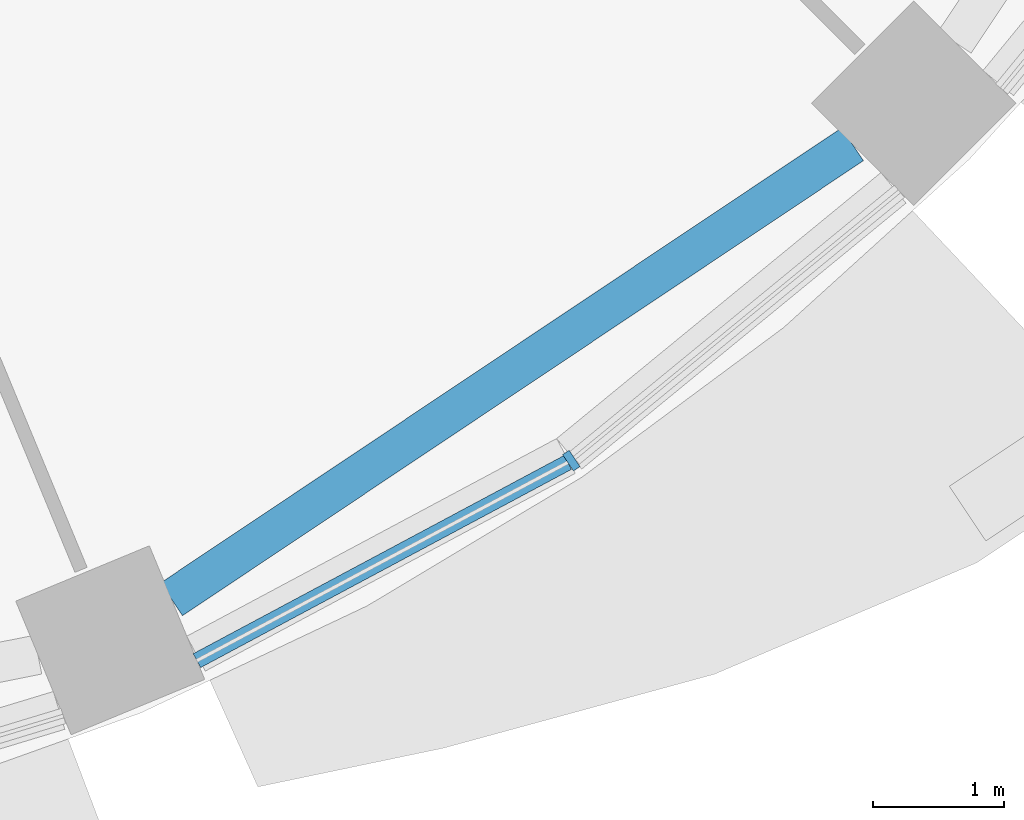
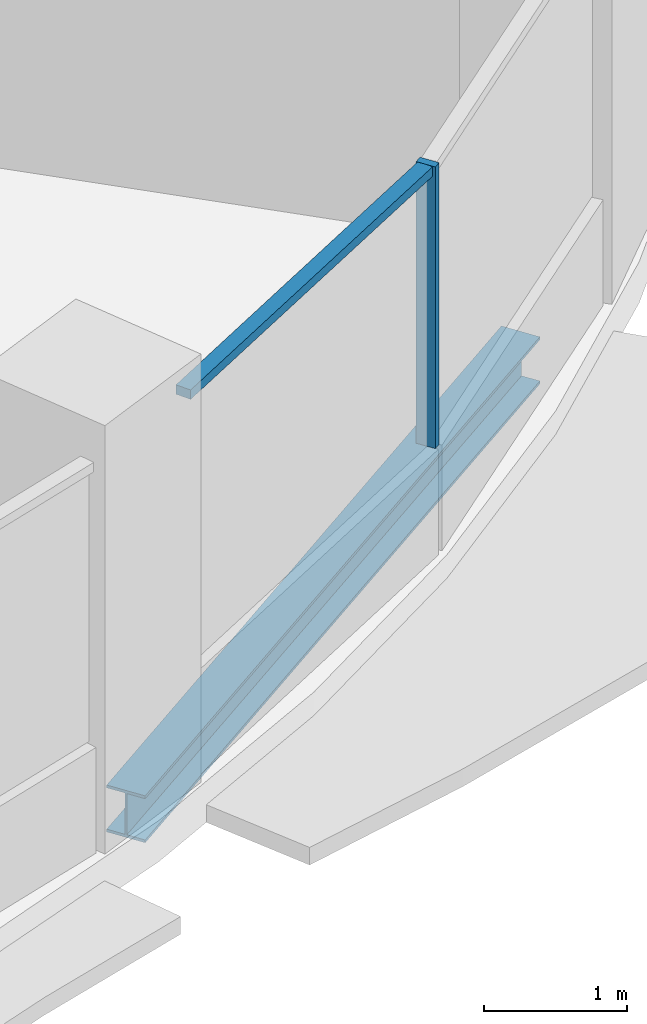
# One storey, part 3 of 15: 2 members, 1 beam, 1 element without a shape of its own.
"""IFC4 building model written with IfcOpenShell, lengths in metres."""

from ifc_helpers import new_model, si_unit, direction, frame, origin, origin_2d, place, context, subcontext, project, spatial, rectangle, i_section, extrude, material, material_profile, profile_set, type_object, element, aggregate, save


model = new_model("IFC4")

# Units and contexts
model_context = context("Model", 3, precision=1e-05, world=origin(), true_north=direction((0.0, 1.0)))
body_context = subcontext(model_context, "Body", "Model", "MODEL_VIEW")
ifc_project = project(units=[si_unit("LENGTHUNIT", "METRE"), si_unit("AREAUNIT", "SQUARE_METRE"), si_unit("VOLUMEUNIT", "CUBIC_METRE"), si_unit("PLANEANGLEUNIT", "RADIAN"), si_unit("MASSUNIT", "GRAM", prefix="KILO")], contexts=[model_context])

# Site, building, storey
site_placement = place(None, origin())
site = spatial("IfcSite", under=ifc_project, at=site_placement, CompositionType="ELEMENT")
building_placement = place(site_placement, origin())
building = spatial("IfcBuilding", under=site, at=building_placement, Name="Polderwave Tower", CompositionType="ELEMENT")
storey_placement = place(building_placement, frame((0.0, 0.0, 76.39990234375)))
storey = spatial("IfcBuildingStorey", under=building, at=storey_placement, Name="L19", CompositionType="ELEMENT", Elevation=76.39990234375)

# Curtain wall, members
ifc_material_1 = material(Name="Aluminium 6063-T6 and glass", Category="aluminium")
curtain_wall_type = type_object("IfcCurtainWallType", Name="Growing floor ribbon glazing wall", PredefinedType="NOTDEFINED", material=ifc_material_1)
curtain_wall_placement = place(storey_placement, origin())
curtain_wall = element("IfcCurtainWall", 1, at=curtain_wall_placement, inside=storey, type_object=curtain_wall_type, Name="CW2 L19 13", PredefinedType="NOTDEFINED")
ifc_material_2 = material(Name="Aluminium 6063-T6", Category="aluminium")
ifc_material_profile_1 = material_profile(ifc_material_2, rectangle(XDim=0.14990234375, YDim=0.06005859375, at=origin_2d()), Name="AL 60x150")
ifc_profile_set_1 = profile_set([ifc_material_profile_1], Name="Aluminium 6063-T6")
member_type_1 = type_object("IfcMemberType", Name="Growing floor ribbon glazing mullion 60x150", PredefinedType="MULLION", material=ifc_profile_set_1)
member_1_placement = place(storey_placement, frame((10.717041015625, -16.0390625, 0.900146484375), z_axis=(0.0, 0.0, 1.0), x_axis=(-0.555496220219, 0.831519061311, 0.0)))
member_1 = element("IfcMember", 2, at=member_1_placement, type_object=member_type_1, Name="CW2 mullion 1", PredefinedType="MULLION", context=body_context, shape_type="SweptSolid", body=[
    extrude(rectangle(XDim=0.14990234375, YDim=0.06005859375, at=origin_2d()), origin(), (0.0, 0.0, 1.0), 2.39990234375),
])
ifc_material_profile_2 = material_profile(ifc_material_2, rectangle(XDim=0.1201171875, YDim=0.080078125, at=origin_2d()), Name="AL 80x120")
ifc_profile_set_2 = profile_set([ifc_material_profile_2], Name="Aluminium 6063-T6")
member_type_2 = type_object("IfcMemberType", Name="Growing floor ribbon glazing transom 80x120", PredefinedType="USERDEFINED", material=ifc_profile_set_2)
member_2_placement = place(storey_placement, frame((7.868896484375, -17.56103515625, 3.260009765625), z_axis=(0.881932215645, 0.471376247819, 0.0), x_axis=(-0.471376247819, 0.881932215645, 0.0)))
member_2 = element("IfcMember", 3, at=member_2_placement, type_object=member_type_2, Name="CW2 transom 1", ObjectType="TRANSOM", PredefinedType="USERDEFINED", context=body_context, shape_type="SweptSolid", body=[
    extrude(rectangle(XDim=0.1201171875, YDim=0.080078125, at=origin_2d()), origin(), (0.0, 0.0, 1.0), 3.19921875),
])
aggregate(curtain_wall, [member_1, member_2])

# Beam
ifc_material_3 = material(Name="Steel S355", Category="steel")
ifc_material_profile_3 = material_profile(ifc_material_3, i_section(OverallWidth=0.300048828125, OverallDepth=0.39990234375, WebThickness=0.013427734375, FlangeThickness=0.02392578125, at=origin_2d()), Name="HE 400 B")
ifc_profile_set_3 = profile_set([ifc_material_profile_3], Name="Steel S355")
beam_type = type_object("IfcBeamType", Name="RING BEAM HE 400 B", PredefinedType="BEAM", material=ifc_profile_set_3)
beam_placement = place(storey_placement, frame((7.676025390625, -17.09423828125, -0.5498046875), z_axis=(0.831489127752, 0.555541024975, 0.0), x_axis=(-0.555541024975, 0.831489127752, 0.0)))
element("IfcBeam", 4, at=beam_placement, inside=storey, type_object=beam_type, Name="ST-RB-L19-13", PredefinedType="BEAM", context=body_context, shape_type="SweptSolid", body=[
    extrude(i_section(OverallWidth=0.300048828125, OverallDepth=0.39990234375, WebThickness=0.013427734375, FlangeThickness=0.02392578125, at=origin_2d()), origin(), (0.0, 0.0, 1.0), 6.2294921875),
])

save(model, "model.ifc")
